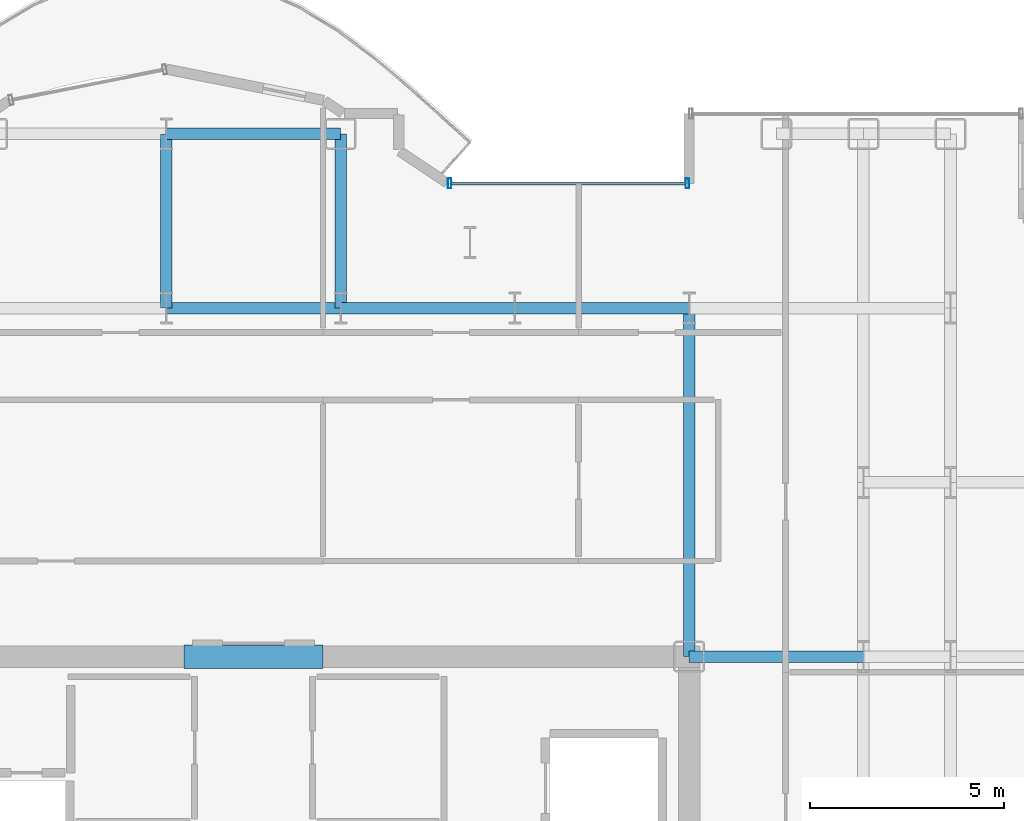
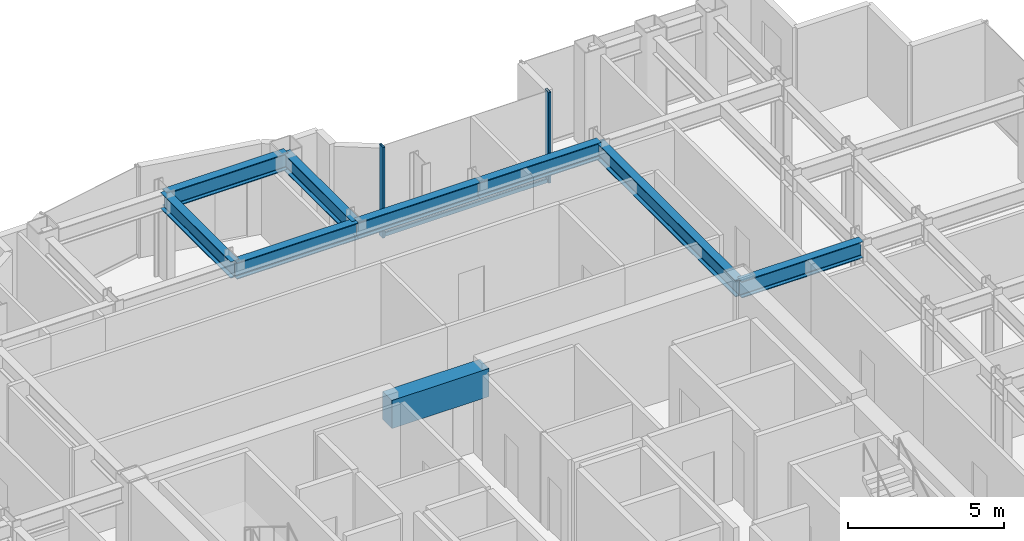
# One storey, part 12 of 22: 9 beams, 3 members, 1 element without a shape of its own.
"""IFC4 building model written with IfcOpenShell, lengths in metres."""

from ifc_helpers import new_model, si_unit, direction, frame, origin, origin_2d, place, context, subcontext, project, spatial, rectangle, hollow_rectangle, i_section, extrude, source, transform, mapped, material, layer, layer_set, material_profile, profile_set, type_object, element, aggregate, save


model = new_model("IFC4")

# Units and contexts
model_context = context("Model", 3, precision=1e-05, world=origin(), true_north=direction((0.0, 1.0)))
body_context = subcontext(model_context, "Body", "Model", "MODEL_VIEW")
ifc_project = project(units=[si_unit("LENGTHUNIT", "METRE"), si_unit("AREAUNIT", "SQUARE_METRE"), si_unit("VOLUMEUNIT", "CUBIC_METRE"), si_unit("PLANEANGLEUNIT", "RADIAN"), si_unit("MASSUNIT", "GRAM", prefix="KILO")], contexts=[model_context])

# Site, building, storey
site_placement = place(None, origin())
site = spatial("IfcSite", under=ifc_project, at=site_placement, CompositionType="ELEMENT")
building_placement = place(site_placement, origin())
building = spatial("IfcBuilding", under=site, at=building_placement, Name="Nefas-Gora Pilgrimage Tower", CompositionType="ELEMENT")
storey_placement = place(building_placement, frame((0.0, 0.0, 186.800048828125)))
storey = spatial("IfcBuildingStorey", under=building, at=storey_placement, Name="L46", CompositionType="ELEMENT", Elevation=186.800048828125)

# Beams
ifc_material_1 = material(Name="Concrete C60/75", Category="concrete")
ifc_material_profile_1 = material_profile(ifc_material_1, rectangle(XDim=0.60009765625, YDim=1.10009765625, at=origin_2d()), Name="RC 600x1100")
ifc_profile_set_1 = profile_set([ifc_material_profile_1], Name="Concrete C60/75")
beam_type_1 = type_object("IfcBeamType", Name="BM-LIN-RC1100", PredefinedType="LINTEL", material=ifc_profile_set_1)
shared_shape_1 = source(origin(), body_context, "Body", "SweptSolid", [
    extrude(rectangle(XDim=0.60009765625, YDim=1.10009765625, at=origin_2d()), origin(), (0.0, 0.0, 1.0), 3.60009765625),
])
beam_1_placement = place(storey_placement, frame((-1.800048828125, 9.0, 3.0), z_axis=(1.0, 0.0, 0.0), x_axis=(0.0, 1.0, 0.0)))
element("IfcBeam", 1, at=beam_1_placement, inside=storey, type_object=beam_type_1, Name="L46 Core Coupling Lintel Beam N", PredefinedType="LINTEL", context=body_context, shape_type="MappedRepresentation", body=[
    mapped(shared_shape_1, transform((0.0, 0.0, 0.0), x_axis=(1.0, 0.0, 0.0), y_axis=(0.0, 1.0, 0.0), z_axis=(0.0, 0.0, 1.0), scale=1.0)),
])
ifc_material_2 = material(Name="Steel S355", Category="steel")
ifc_material_profile_2 = material_profile(ifc_material_2, i_section(OverallWidth=0.300048828125, OverallDepth=0.64990234375, WebThickness=0.01611328125, FlangeThickness=0.031005859375, FilletRadius=0.027099609375, at=origin_2d()), Name="HEB 650")
ifc_profile_set_2 = profile_set([ifc_material_profile_2], Name="Steel S355")
beam_type_2 = type_object("IfcBeamType", Name="BM-GIR-HEB650", PredefinedType="BEAM", material=ifc_profile_set_2)
shared_shape_2 = source(origin(), body_context, "Body", "SweptSolid", [
    extrude(i_section(OverallWidth=0.300048828125, OverallDepth=0.64990234375, WebThickness=0.01611328125, FlangeThickness=0.031005859375, FilletRadius=0.027099609375, at=origin_2d()), origin(), (0.0, 0.0, 1.0), 9.0),
])
beam_2_placement = place(storey_placement, frame((11.25, 9.0, 3.224853515625), z_axis=(0.0, 1.0, 0.0), x_axis=(-1.0, 0.0, 0.0)))
element("IfcBeam", 2, at=beam_2_placement, inside=storey, type_object=beam_type_2, Name="L46 G-03 beam", PredefinedType="BEAM", context=body_context, shape_type="MappedRepresentation", body=[
    mapped(shared_shape_2, transform((0.0, 0.0, 0.0), x_axis=(1.0, 0.0, 0.0), y_axis=(0.0, 1.0, 0.0), z_axis=(0.0, 0.0, 1.0), scale=1.0)),
])
shared_shape_3 = source(origin(), body_context, "Body", "SweptSolid", [
    extrude(i_section(OverallWidth=0.300048828125, OverallDepth=0.64990234375, WebThickness=0.01611328125, FlangeThickness=0.031005859375, FilletRadius=0.027099609375, at=origin_2d()), origin(), (0.0, 0.0, 1.0), 4.5),
])
for number, where, z_axis, x_axis, name in (
    (3, (-2.25, 18.0, 3.224853515625), (0.0, 1.0, 0.0), (-1.0, 0.0, 0.0), "L46 G-03 beam"),
    (4, (-2.25, 18.0, 3.224853515625), (1.0, 0.0, 0.0), (0.0, 1.0, 0.0), "L46 G-03 beam"),
    (5, (-2.25, 22.5, 3.224853515625), (1.0, 0.0, 0.0), (0.0, 1.0, 0.0), "L46 G-03 beam"),
    (6, (2.25, 18.0, 3.224853515625), (0.0, 1.0, 0.0), (-1.0, 0.0, 0.0), "L46 G-03 beam"),
    (7, (2.25, 18.0, 3.224853515625), (1.0, 0.0, 0.0), (0.0, 1.0, 0.0), "L46 G-03 beam"),
    (8, (6.75, 18.0, 3.224853515625), (1.0, 0.0, 0.0), (0.0, 1.0, 0.0), "L46 G-03 beam"),
    (9, (11.25, 9.0, 3.224853515625), (1.0, 0.0, 0.0), (0.0, 1.0, 0.0), "L46 G-03 beam"),
):
    element("IfcBeam", number, at=place(storey_placement, frame(where, z_axis=z_axis, x_axis=x_axis)), inside=storey, type_object=beam_type_2, Name=name, PredefinedType="BEAM", context=body_context, shape_type="MappedRepresentation", body=[
        mapped(shared_shape_3, transform((0.0, 0.0, 0.0), x_axis=(1.0, 0.0, 0.0), y_axis=(0.0, 1.0, 0.0), z_axis=(0.0, 0.0, 1.0), scale=1.0)),
    ])

# Curtain wall, members
ifc_material_3 = material(Name="Dark ceramic-fritted solar-control aluminium-glass curtain wall", Category="aluminium")
ifc_layer = layer(ifc_material_3, 0.219970703125)
ifc_layer_set = layer_set([ifc_layer], Name="Dark ceramic-fritted solar-control aluminium-glass curtain wall")
curtain_wall_type = type_object("IfcCurtainWallType", Name="CW-SYS-5", PredefinedType="NOTDEFINED", material=ifc_layer_set)
curtain_wall_placement = place(storey_placement, origin())
curtain_wall = element("IfcCurtainWall", 10, at=curtain_wall_placement, inside=storey, type_object=curtain_wall_type, Name="L46 Unitised Curtain Wall CW5", PredefinedType="NOTDEFINED")
ifc_material_4 = material(Name="Anodised architectural aluminium", Category="aluminium")
ifc_material_profile_3 = material_profile(ifc_material_4, hollow_rectangle(XDim=0.090087890625, YDim=0.260009765625, WallThickness=0.006103515625, InnerFilletRadius=0.006103515625, OuterFilletRadius=0.011962890625, at=origin_2d()), Name="ALU MULLION 90x260")
ifc_profile_set_3 = profile_set([ifc_material_profile_3], Name="Anodised architectural aluminium")
member_type_1 = type_object("IfcMemberType", Name="CWM-MUL-5", PredefinedType="MULLION", material=ifc_profile_set_3)
shared_shape_4 = source(origin(), body_context, "Body", "SweptSolid", [
    extrude(hollow_rectangle(XDim=0.090087890625, YDim=0.260009765625, WallThickness=0.006103515625, InnerFilletRadius=0.006103515625, OuterFilletRadius=0.011962890625, at=origin_2d()), origin(), (0.0, 0.0, 1.0), 3.550048828125),
])
member_1_placement = place(storey_placement, frame((11.205078125, 21.219970703125, 0.0), z_axis=(0.0, 0.0, 1.0), x_axis=(-1.0, 0.0, 0.0)))
member_1 = element("IfcMember", 11, at=member_1_placement, type_object=member_type_1, Name="CW5 Mullion 1", PredefinedType="MULLION", context=body_context, shape_type="MappedRepresentation", body=[
    mapped(shared_shape_4, transform((0.0, 0.0, 0.0), x_axis=(1.0, 0.0, 0.0), y_axis=(0.0, 1.0, 0.0), z_axis=(0.0, 0.0, 1.0), scale=1.0)),
])
member_2_placement = place(storey_placement, frame((5.06298828125, 21.219970703125, 0.0), z_axis=(0.0, 0.0, 1.0), x_axis=(-1.0, 0.0, 0.0)))
member_2 = element("IfcMember", 12, at=member_2_placement, type_object=member_type_1, Name="CW5 Mullion 2", PredefinedType="MULLION", context=body_context, shape_type="MappedRepresentation", body=[
    mapped(shared_shape_4, transform((0.0, 0.0, 0.0), x_axis=(1.0, 0.0, 0.0), y_axis=(0.0, 1.0, 0.0), z_axis=(0.0, 0.0, 1.0), scale=1.0)),
])
ifc_material_profile_4 = material_profile(ifc_material_4, hollow_rectangle(XDim=0.080078125, YDim=0.159912109375, WallThickness=0.00439453125, InnerFilletRadius=0.00439453125, OuterFilletRadius=0.009033203125, at=origin_2d()), Name="ALU TRANSOM 80x160")
ifc_profile_set_4 = profile_set([ifc_material_profile_4], Name="Anodised architectural aluminium")
member_type_2 = type_object("IfcMemberType", Name="CWM-TRN-5", PredefinedType="USERDEFINED", material=ifc_profile_set_4)
shared_shape_5 = source(origin(), body_context, "Body", "SweptSolid", [
    extrude(hollow_rectangle(XDim=0.080078125, YDim=0.159912109375, WallThickness=0.00439453125, InnerFilletRadius=0.00439453125, OuterFilletRadius=0.009033203125, at=origin_2d()), origin(), (0.0, 0.0, 1.0), 6.052001953125),
])
member_3_placement = place(storey_placement, frame((11.159912109375, 21.219970703125, 0.050048828125), z_axis=(-1.0, 0.0, 0.0), x_axis=(0.0, -1.0, 0.0)))
member_3 = element("IfcMember", 13, at=member_3_placement, type_object=member_type_2, Name="CW5 Spandrel Transom", ObjectType="TRANSOM", PredefinedType="USERDEFINED", context=body_context, shape_type="MappedRepresentation", body=[
    mapped(shared_shape_5, transform((0.0, 0.0, 0.0), x_axis=(1.0, 0.0, 0.0), y_axis=(0.0, 1.0, 0.0), z_axis=(0.0, 0.0, 1.0), scale=1.0)),
])
aggregate(curtain_wall, [member_1, member_2, member_3])

save(model, "model.ifc")
